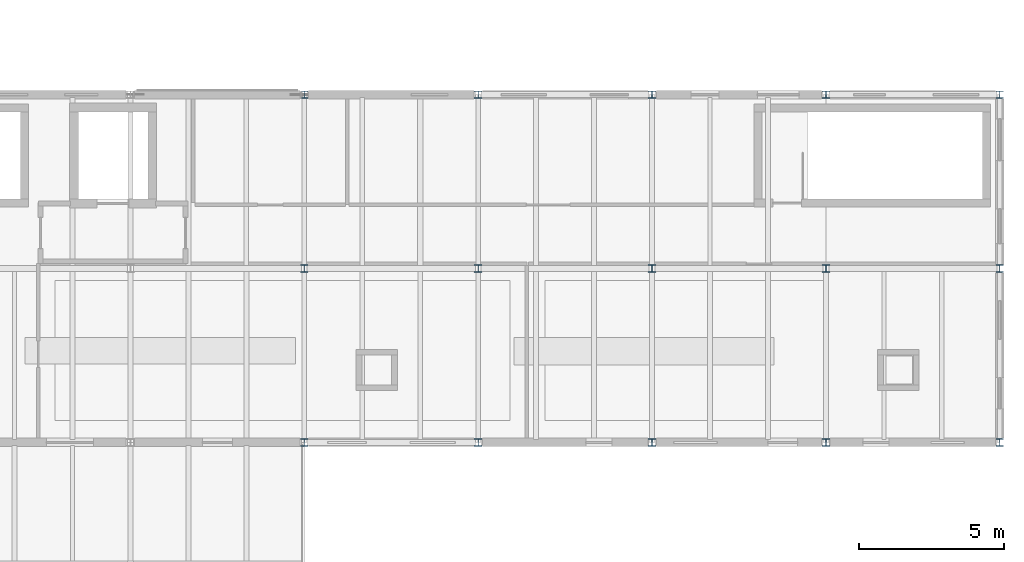
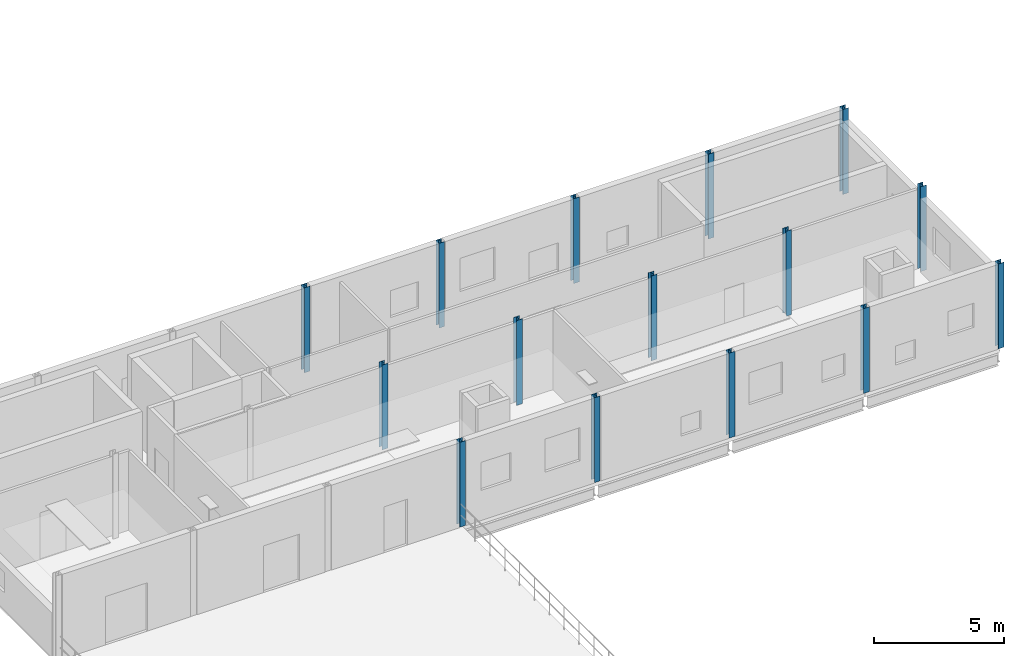
# One storey, part 5 of 45: 15 columns.
"""IFC4 building model written with IfcOpenShell, lengths in metres."""

import ifcopenshell
import ifcopenshell.guid

model = None  # the IFC model being written
_history = None  # IfcOwnerHistory: only IFC2X3 demands one
_inside = {}  # id of a spatial element -> (the spatial element, [elements in it])
_under = {}  # id of a project, library or spatial element -> (it, [spatial elements below it])
_declared = {}  # id of a project -> (the project, [libraries it declares])
_typed = {}  # id of a type object -> (the type object, [elements of that type])
_made_of = {}  # id of a material, layer set ... -> (it, [elements and type objects made of it])


def new_model(schema):
    """Start an empty IFC model of exactly this schema.

    Asked for "IFC4X3", IfcOpenShell would pick the latest addendum, in which some entities
    have other attributes; the version numbers below select the first issue.
    IFC2X3 requires an IfcOwnerHistory on every rooted entity: one is made here for all.
    """
    global model, _history
    if schema == "IFC4X3":
        model = ifcopenshell.file(schema_version=(4, 3, 0, 0))
    else:
        model = ifcopenshell.file(schema=schema)
    _inside.clear()
    _under.clear()
    _declared.clear()
    _typed.clear()
    _made_of.clear()
    _history = None
    if model.schema == "IFC2X3":
        org = make("IfcOrganization", Name="unknown")
        user = make(
            "IfcPersonAndOrganization",
            ThePerson=make("IfcPerson", FamilyName="unknown"),
            TheOrganization=org,
        )
        app = make(
            "IfcApplication",
            ApplicationDeveloper=org,
            Version="unknown",
            ApplicationFullName="unknown",
            ApplicationIdentifier="unknown",
        )
        _history = make(
            "IfcOwnerHistory",
            OwningUser=user,
            OwningApplication=app,
            ChangeAction="ADDED",
            CreationDate=0,
        )
    return model


def make(cls, **values):
    """One entity of the class cls with the attributes given. An attribute that is None is left unset."""
    return model.create_entity(
        cls, **{name: value for name, value in values.items() if value is not None}
    )


def rooted(cls, **values):
    """An entity with a GlobalId (a new one), such as an element, a storey or a relation."""
    return make(cls, GlobalId=ifcopenshell.guid.new(), OwnerHistory=_history, **values)


def si_unit(unit_type, name, prefix=None):
    """IfcSIUnit, for example si_unit("LENGTHUNIT", "METRE", prefix="MILLI")."""
    return make("IfcSIUnit", UnitType=unit_type, Prefix=prefix, Name=name)


def assignment(units):
    """IfcUnitAssignment: the units of a project."""
    return None if units is None else make("IfcUnitAssignment", Units=units)


def point(xyz):
    """IfcCartesianPoint."""
    return None if xyz is None else make("IfcCartesianPoint", Coordinates=xyz)


def direction(xyz):
    """IfcDirection."""
    return None if xyz is None else make("IfcDirection", DirectionRatios=xyz)


def frame(location, z_axis=None, x_axis=None):
    """IfcAxis2Placement3D, a coordinate frame: its origin and axes. An axis left out is left unset."""
    return make(
        "IfcAxis2Placement3D",
        Location=point(location),
        Axis=direction(z_axis),
        RefDirection=direction(x_axis),
    )


def frame_2d(location, x_axis=None):
    """IfcAxis2Placement2D, a coordinate frame in the plane: its origin and x axis."""
    return make(
        "IfcAxis2Placement2D", Location=point(location), RefDirection=direction(x_axis)
    )


def origin():
    """The frame at (0, 0, 0) with its axes left unset."""
    return frame((0.0, 0.0, 0.0))


def origin_2d():
    """The frame at (0, 0) in the plane with its x axis left unset."""
    return frame_2d((0.0, 0.0))


def place(relative_to, where):
    """IfcLocalPlacement: puts the frame where relative to a parent placement (None: the world)."""
    return make(
        "IfcLocalPlacement", PlacementRelTo=relative_to, RelativePlacement=where
    )


def context(
    kind, dimensions, precision=None, world=None, true_north=None, identifier=None
):
    """IfcGeometricRepresentationContext, for example the 3D "Model" context."""
    return make(
        "IfcGeometricRepresentationContext",
        ContextIdentifier=identifier,
        ContextType=kind,
        CoordinateSpaceDimension=dimensions,
        Precision=precision,
        WorldCoordinateSystem=world,
        TrueNorth=true_north,
    )


def subcontext(parent, identifier, kind, view, scale=None):
    """IfcGeometricRepresentationSubContext, for example "Body" below "Model"."""
    return make(
        "IfcGeometricRepresentationSubContext",
        ContextIdentifier=identifier,
        ContextType=kind,
        ParentContext=parent,
        TargetScale=scale,
        TargetView=view,
    )


def project(units=None, contexts=None):
    """IfcProject with its units and contexts."""
    return rooted(
        "IfcProject",
        Name="project",
        RepresentationContexts=contexts,
        UnitsInContext=assignment(units),
    )


def spatial(cls, under=None, at=None, **own):
    """A site, building, storey or space (cls), placed at a placement, below another one or the project."""
    s = rooted(cls, ObjectPlacement=at, **own)
    if under is not None:
        _under.setdefault(under.id(), (under, []))[1].append(s)
    return s


def profile(cls, at=None, kind="AREA", **sizes):
    """A parametric profile (cls). Its sizes go by their IFC names, for example OverallWidth=200.0."""
    return make(cls, ProfileType=kind, Position=at, **sizes)


def i_section(**sizes):
    """IfcIShapeProfileDef."""
    return profile("IfcIShapeProfileDef", **sizes)


def extrude(swept, where, along, depth):
    """IfcExtrudedAreaSolid: the profile swept, set in the frame where, extruded along a direction by depth."""
    return make(
        "IfcExtrudedAreaSolid",
        SweptArea=swept,
        Position=where,
        ExtrudedDirection=direction(along),
        Depth=depth,
    )


def shape(context_of_items, identifier, shape_type, items):
    """IfcShapeRepresentation: the items that make up one representation, for example the "Body"."""
    return make(
        "IfcShapeRepresentation",
        ContextOfItems=context_of_items,
        RepresentationIdentifier=identifier,
        RepresentationType=shape_type,
        Items=items,
    )


def material(Name=None, Category=None):
    """IfcMaterial."""
    return make("IfcMaterial", Name=Name, Category=Category)


def material_profile(
    of_material, cross_section, Name=None, Category=None, Priority=None
):
    """IfcMaterialProfile: a cross section and its material."""
    return make(
        "IfcMaterialProfile",
        Name=Name,
        Material=of_material,
        Profile=cross_section,
        Priority=Priority,
        Category=Category,
    )


def profile_set(profiles, Name=None, composite=None):
    """IfcMaterialProfileSet."""
    return make(
        "IfcMaterialProfileSet",
        Name=Name,
        MaterialProfiles=profiles,
        CompositeProfile=composite,
    )


def made_of(thing, what):
    """Note that an element or type object is made of a material, layer set ...; save() writes the relation."""
    if what is not None:
        _made_of.setdefault(what.id(), (what, []))[1].append(thing)
    return thing


def type_object(cls, material=None, **own):
    """A type object (cls), such as IfcWallType, which elements share."""
    return made_of(rooted(cls, **own), material)


def element(
    cls,
    number,
    at=None,
    inside=None,
    cuts=None,
    type_object=None,
    material=None,
    context=None,
    identifier="Body",
    shape_type=None,
    held_by="IfcProductDefinitionShape",
    body=None,
    shapes=None,
    **own,
):
    """One element of the class cls, such as IfcWall. Its Tag is "e" and its number.

    at: its placement. inside: the storey or other place that contains it. cuts: it is an
    opening in that element (IfcRelVoidsElement). A single representation is given by context,
    identifier, shape_type and body (its items); several are given by shapes. held_by: the class
    of the entity that holds the representations. save() writes the other relations.
    """
    e = rooted(cls, Tag="e%d" % number, ObjectPlacement=at, **own)
    if body is not None:
        shapes = [shape(context, identifier, shape_type, body)]
    if shapes is not None:
        e.Representation = make(held_by, Representations=shapes)
    if inside is not None:
        _inside.setdefault(inside.id(), (inside, []))[1].append(e)
    if cuts is not None:
        rooted(
            "IfcRelVoidsElement", RelatingBuildingElement=cuts, RelatedOpeningElement=e
        )
    if type_object is not None:
        _typed.setdefault(type_object.id(), (type_object, []))[1].append(e)
    return made_of(e, material)


def aggregate(whole, parts):
    """IfcRelAggregates: a whole, such as a stair, and the parts it consists of."""
    return rooted("IfcRelAggregates", RelatingObject=whole, RelatedObjects=parts)


def save(model, path):
    """Write the relations noted so far, then the file.

    IfcRelAggregates (storeys below a building ...), IfcRelContainedInSpatialStructure (elements
    in a storey), IfcRelDefinesByType, IfcRelAssociatesMaterial and IfcRelDeclares: one each for
    every whole, place, type object, material and project.
    """
    for whole, parts in _under.values():
        aggregate(whole, parts)
    for where, things in _inside.values():
        rooted(
            "IfcRelContainedInSpatialStructure",
            RelatedElements=things,
            RelatingStructure=where,
        )
    for kind, things in _typed.values():
        rooted("IfcRelDefinesByType", RelatedObjects=things, RelatingType=kind)
    for what, things in _made_of.values():
        rooted("IfcRelAssociatesMaterial", RelatedObjects=things, RelatingMaterial=what)
    for by, libraries in _declared.values():
        rooted("IfcRelDeclares", RelatingContext=by, RelatedDefinitions=libraries)
    model.write(path)


model = new_model("IFC4")

# Units and contexts
model_context = context("Model", 3, precision=1e-05, world=origin(), true_north=direction((0.0, 1.0)))
body_context = subcontext(model_context, "Body", "Model", "MODEL_VIEW")
ifc_project = project(units=[si_unit("LENGTHUNIT", "METRE"), si_unit("AREAUNIT", "SQUARE_METRE"), si_unit("VOLUMEUNIT", "CUBIC_METRE"), si_unit("PLANEANGLEUNIT", "RADIAN"), si_unit("MASSUNIT", "GRAM", prefix="KILO")], contexts=[model_context])

# Site, building, storey
site_placement = place(None, origin())
site = spatial("IfcSite", under=ifc_project, at=site_placement, CompositionType="ELEMENT")
building_placement = place(site_placement, origin())
building = spatial("IfcBuilding", under=site, at=building_placement, Name="Siltcreek Boulevard Central Fire Station", CompositionType="ELEMENT")
storey_placement = place(building_placement, frame((0.0, 0.0, 10.0)))
storey = spatial("IfcBuildingStorey", under=building, at=storey_placement, Name="L03", CompositionType="ELEMENT", Elevation=10.0)

# Columns
ifc_material = material(Name="Structural steel ASTM A992 Gr50", Category="steel")
ifc_material_profile = material_profile(ifc_material, i_section(OverallWidth=0.25390625, OverallDepth=0.2529296875, WebThickness=0.008544921875, FlangeThickness=0.01416015625, at=origin_2d()), Name="W250X73")
ifc_profile_set = profile_set([ifc_material_profile], Name="Structural steel ASTM A992 Gr50")
column_type = type_object("IfcColumnType", Name="COL_W250X73", PredefinedType="COLUMN", material=ifc_profile_set)
for number, where, z_axis, x_axis, name in (
    (1, (142.199951171875, 18.0, 0.0), (0.0, 0.0, 1.0), (1.0, 0.0, 0.0), "L03 structural column COLG-L03-1422-180"),
    (2, (142.199951171875, 24.0, 0.0), (0.0, 0.0, 1.0), (1.0, 0.0, 0.0), "L03 structural column COLG-L03-1422-240"),
    (3, (142.199951171875, 30.0, 0.0), (0.0, 0.0, 1.0), (1.0, 0.0, 0.0), "L03 structural column COLG-L03-1422-300"),
    (4, (148.199951171875, 18.0, 0.0), (0.0, 0.0, 1.0), (1.0, 0.0, 0.0), "L03 structural column COLG-L03-1482-180"),
    (5, (148.199951171875, 24.0, 0.0), (0.0, 0.0, 1.0), (1.0, 0.0, 0.0), "L03 structural column COLG-L03-1482-240"),
    (6, (148.199951171875, 30.0, 0.0), (0.0, 0.0, 1.0), (1.0, 0.0, 0.0), "L03 structural column COLG-L03-1482-300"),
    (7, (154.199951171875, 18.0, 0.0), (0.0, 0.0, 1.0), (1.0, 0.0, 0.0), "L03 structural column COLG-L03-1542-180"),
    (8, (154.199951171875, 24.0, 0.0), (0.0, 0.0, 1.0), (1.0, 0.0, 0.0), "L03 structural column COLG-L03-1542-240"),
    (9, (154.199951171875, 30.0, 0.0), (0.0, 0.0, 1.0), (1.0, 0.0, 0.0), "L03 structural column COLG-L03-1542-300"),
    (10, (160.199951171875, 18.0, 0.0), (0.0, 0.0, 1.0), (1.0, 0.0, 0.0), "L03 structural column COLG-L03-1602-180"),
    (11, (160.199951171875, 24.0, 0.0), (0.0, 0.0, 1.0), (1.0, 0.0, 0.0), "L03 structural column COLG-L03-1602-240"),
    (12, (160.199951171875, 30.0, 0.0), (0.0, 0.0, 1.0), (1.0, 0.0, 0.0), "L03 structural column COLG-L03-1602-300"),
    (13, (166.199951171875, 18.0, 0.0), (0.0, 0.0, 1.0), (1.0, 0.0, 0.0), "L03 structural column COLG-L03-1662-180"),
    (14, (166.199951171875, 24.0, 0.0), (0.0, 0.0, 1.0), (1.0, 0.0, 0.0), "L03 structural column COLG-L03-1662-240"),
    (15, (166.199951171875, 30.0, 0.0), (0.0, 0.0, 1.0), (1.0, 0.0, 0.0), "L03 structural column COLG-L03-1662-300"),
):
    element("IfcColumn", number, at=place(storey_placement, frame(where, z_axis=z_axis, x_axis=x_axis)), inside=storey, type_object=column_type, Name=name, PredefinedType="COLUMN", context=body_context, shape_type="SweptSolid", body=[
        extrude(i_section(OverallWidth=0.25390625, OverallDepth=0.2529296875, WebThickness=0.008544921875, FlangeThickness=0.01416015625, at=origin_2d()), origin(), (0.0, 0.0, 1.0), 4.0),
    ])

save(model, "model.ifc")
